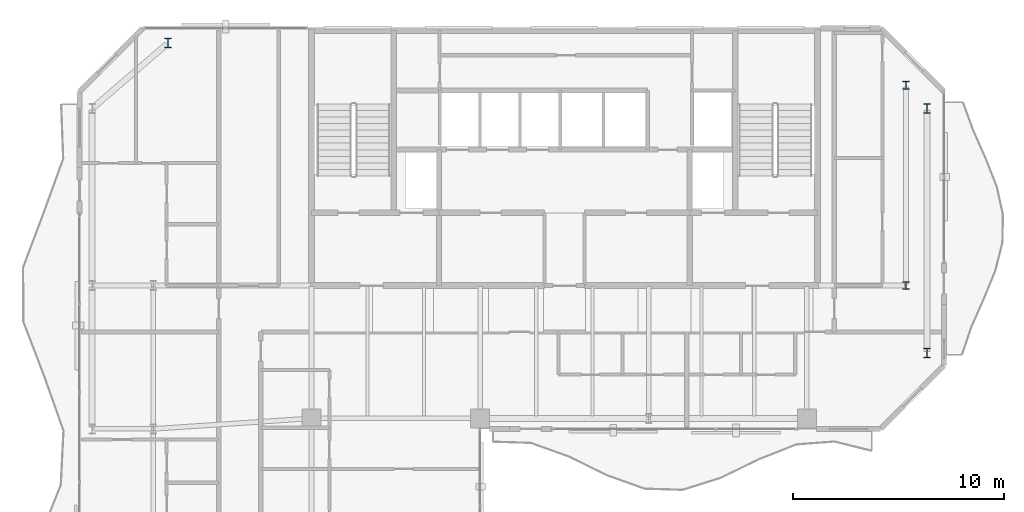
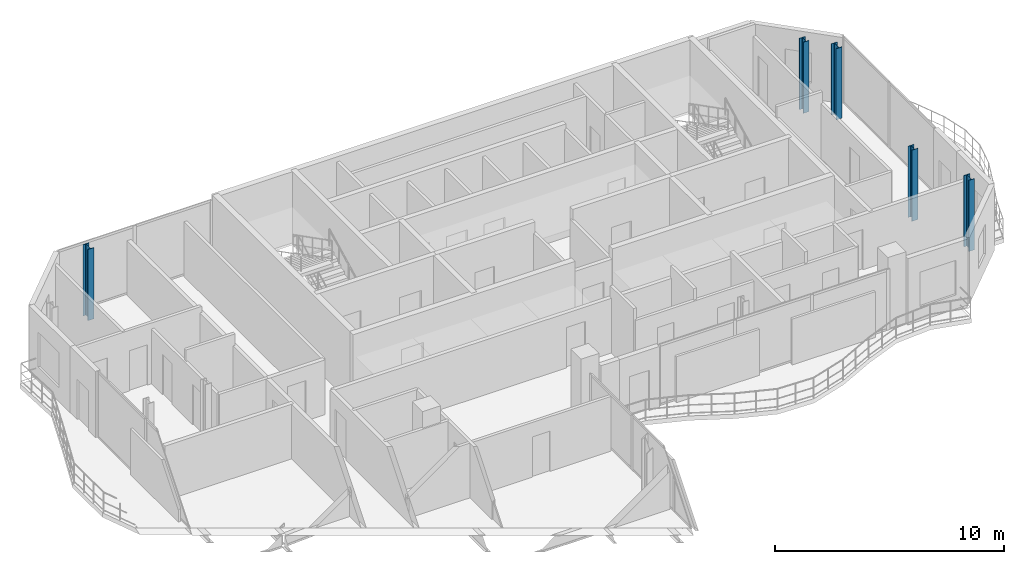
# One storey, part 2 of 22: 5 columns.
"""IFC4 building model written with IfcOpenShell, lengths in metres."""

from ifc_helpers import new_model, si_unit, direction, frame, origin, origin_2d, place, context, subcontext, project, spatial, i_section, extrude, material, material_profile, profile_set, type_object, element, save


model = new_model("IFC4")

# Units and contexts
model_context = context("Model", 3, precision=1e-05, world=origin(), true_north=direction((0.0, 1.0)))
body_context = subcontext(model_context, "Body", "Model", "MODEL_VIEW")
ifc_project = project(units=[si_unit("LENGTHUNIT", "METRE"), si_unit("AREAUNIT", "SQUARE_METRE"), si_unit("VOLUMEUNIT", "CUBIC_METRE"), si_unit("PLANEANGLEUNIT", "RADIAN"), si_unit("MASSUNIT", "GRAM", prefix="KILO")], contexts=[model_context])

# Site, building, storey
site_placement = place(None, origin())
site = spatial("IfcSite", under=ifc_project, at=site_placement, CompositionType="ELEMENT")
building_placement = place(site_placement, origin())
building = spatial("IfcBuilding", under=site, at=building_placement, Name="Catumbela Crestline Tower", CompositionType="ELEMENT")
storey_placement = place(building_placement, frame((0.0, 0.0, 226.0)))
storey = spatial("IfcBuildingStorey", under=building, at=storey_placement, Name="L58", CompositionType="ELEMENT", Elevation=226.0)

# Columns
ifc_material = material(Name="Structural steel S355J2", Category="steel")
ifc_material_profile_1 = material_profile(ifc_material, i_section(OverallWidth=0.3, OverallDepth=0.36, WebThickness=0.0125, FlangeThickness=0.0225, FilletRadius=0.027, at=origin_2d()), Name="HEB 360")
ifc_profile_set_1 = profile_set([ifc_material_profile_1], Name="Structural steel S355J2")
column_type_1 = type_object("IfcColumnType", Name="C-ST-HEB360", PredefinedType="COLUMN", material=ifc_profile_set_1)
for number, where, z_axis, x_axis, name in (
    (1, (44.2, 30.8, 0.0), (0.0, 0.0, 1.0), (1.0, 0.0, 0.0), "L58 Column CT-46-31 (HEB 360)"),
    (2, (44.2, 40.3, 0.0), (0.0, 0.0, 1.0), (1.0, 0.0, 0.0), "L58 Column CT-46-37 (HEB 360)"),
):
    element("IfcColumn", number, at=place(storey_placement, frame(where, z_axis=z_axis, x_axis=x_axis)), inside=storey, type_object=column_type_1, Name=name, PredefinedType="COLUMN", context=body_context, shape_type="SweptSolid", body=[
        extrude(i_section(OverallWidth=0.3, OverallDepth=0.36, WebThickness=0.0125, FlangeThickness=0.0225, FilletRadius=0.027, at=origin_2d()), origin(), (0.0, 0.0, 1.0), 3.8),
    ])
ifc_material_profile_2 = material_profile(ifc_material, i_section(OverallWidth=0.3, OverallDepth=0.45, WebThickness=0.014, FlangeThickness=0.026, FilletRadius=0.027, at=origin_2d()), Name="HEB 450")
ifc_profile_set_2 = profile_set([ifc_material_profile_2], Name="Structural steel S355J2")
column_type_2 = type_object("IfcColumnType", Name="C-ST-HEB450", PredefinedType="COLUMN", material=ifc_profile_set_2)
for number, where, z_axis, x_axis, name in (
    (3, (9.2, 42.3, 0.0), (0.0, 0.0, 1.0), (1.0, 0.0, 0.0), "L58 Column C-08-43 (HEB 450)"),
    (4, (45.2, 27.6, 0.0), (0.0, 0.0, 1.0), (1.0, 0.0, 0.0), "L58 Column C-46-24 (HEB 450)"),
    (5, (45.2, 39.2, 0.0), (0.0, 0.0, 1.0), (1.0, 0.0, 0.0), "L58 Column C-46-43 (HEB 450)"),
):
    element("IfcColumn", number, at=place(storey_placement, frame(where, z_axis=z_axis, x_axis=x_axis)), inside=storey, type_object=column_type_2, Name=name, PredefinedType="COLUMN", context=body_context, shape_type="SweptSolid", body=[
        extrude(i_section(OverallWidth=0.3, OverallDepth=0.45, WebThickness=0.014, FlangeThickness=0.026, FilletRadius=0.027, at=origin_2d()), origin(), (0.0, 0.0, 1.0), 3.8),
    ])

save(model, "model.ifc")
